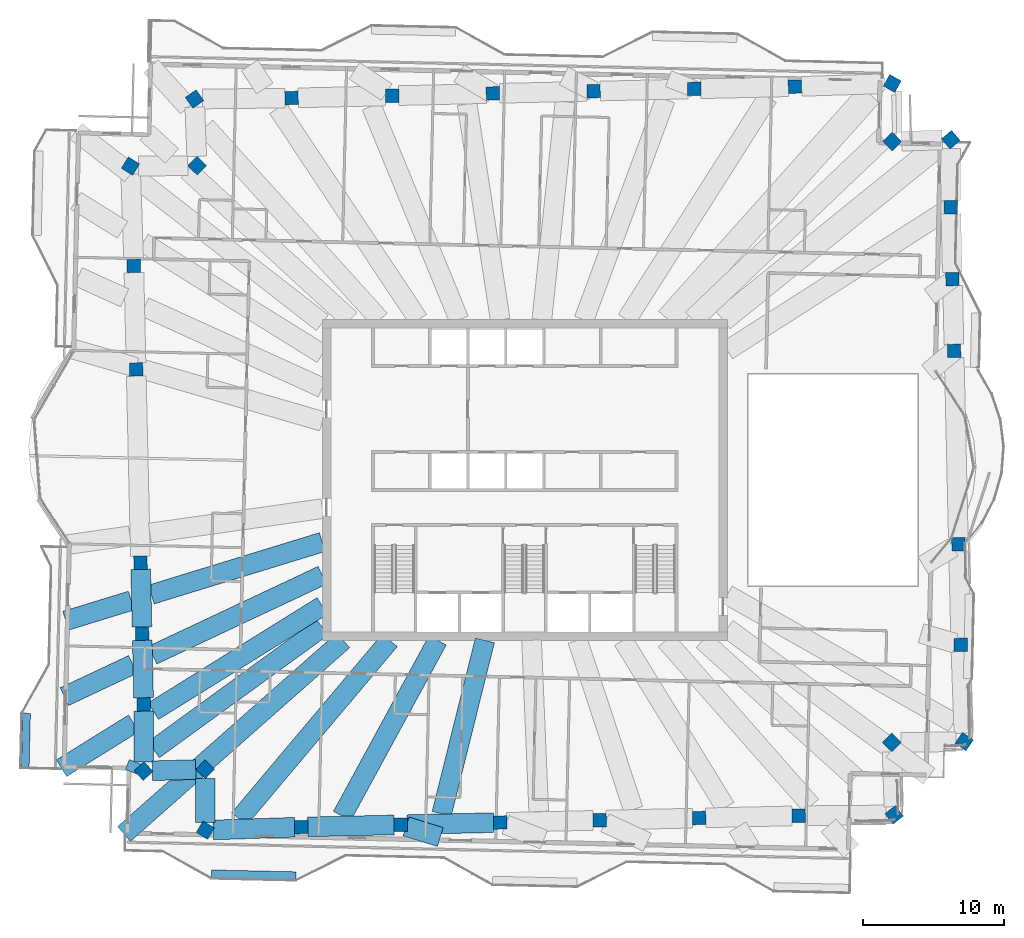
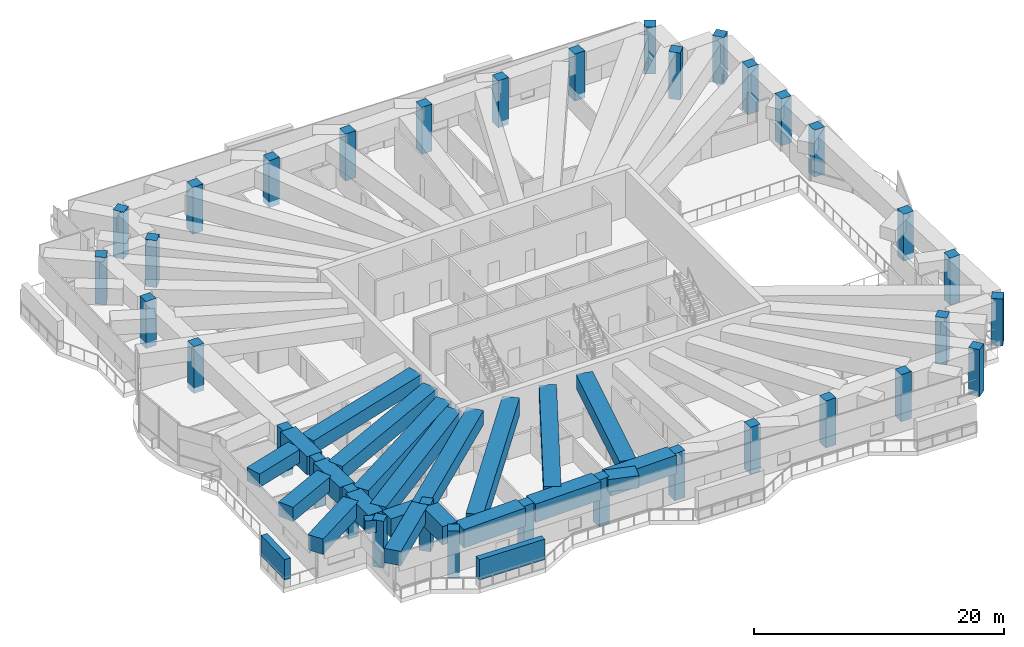
# One storey, part 1 of 20: 34 columns, 22 beams, 2 members.
"""IFC4 building model written with IfcOpenShell, lengths in metres."""

from ifc_helpers import new_model, si_unit, direction, frame, origin, origin_2d, place, context, subcontext, project, spatial, rectangle, extrude, material, material_profile, profile_set, type_object, element, save


model = new_model("IFC4")

# Units and contexts
model_context = context("Model", 3, precision=1e-05, world=origin(), true_north=direction((0.0, 1.0)))
body_context = subcontext(model_context, "Body", "Model", "MODEL_VIEW")
ifc_project = project(units=[si_unit("LENGTHUNIT", "METRE"), si_unit("AREAUNIT", "SQUARE_METRE"), si_unit("VOLUMEUNIT", "CUBIC_METRE"), si_unit("PLANEANGLEUNIT", "RADIAN"), si_unit("MASSUNIT", "GRAM", prefix="KILO")], contexts=[model_context])

# Site, building, storey
site_placement = place(None, origin())
site = spatial("IfcSite", under=ifc_project, at=site_placement, CompositionType="ELEMENT")
building_placement = place(site_placement, origin())
building = spatial("IfcBuilding", under=site, at=building_placement, Name="Mangrove Gate Tower", CompositionType="ELEMENT")
storey_placement = place(building_placement, frame((0.0, 0.0, 301.5)))
storey = spatial("IfcBuildingStorey", under=building, at=storey_placement, Name="L77", CompositionType="ELEMENT", Elevation=301.5)

# Columns
ifc_material_1 = material(Name="Concrete C50/60", Category="concrete")
ifc_material_profile_1 = material_profile(ifc_material_1, rectangle(XDim=0.949951171875, YDim=0.949951171875, at=origin_2d()))
ifc_profile_set_1 = profile_set([ifc_material_profile_1], Name="Concrete C50/60")
column_type = type_object("IfcColumnType", Name="Column RC 950x950 C50/60", PredefinedType="COLUMN", material=ifc_profile_set_1)
for number, where, z_axis, x_axis, name in (
    (1, (-27.3291015625, -5.88330078125, -0.550048828125), (0.0, 0.0, 1.0), (0.022668227132, -0.999743042726, 0.0), "Column L77 W05"),
    (2, (-27.215087890625, -10.92431640625, -0.550048828125), (0.0, 0.0, 1.0), (0.022611029903, -0.999744337982, 0.0), "Column L77 W06"),
    (3, (-27.10107421875, -15.964111328125, -0.550048828125), (0.0, 0.0, 1.0), (0.022712390043, -0.999742040398, 0.0), "Column L77 W07"),
    (4, (-27.1103515625, -20.694580078125, -0.550048828125), (0.0, 0.0, 1.0), (0.674559871236, -0.738220143398, 0.0), "Column L77 W08"),
    (5, (-22.73388671875, -20.571533203125, -0.550048828125), (0.0, 0.0, 1.0), (0.722917548782, -0.690934307777, 0.0), "Column L77 W09"),
    (6, (-22.721435546875, -24.905029296875, -0.550048828125), (0.0, 0.0, 1.0), (0.860936080736, -0.508713145974, 0.0), "Column L77 S01"),
    (7, (-15.898681640625, -24.67919921875, -0.550048828125), (0.0, 0.0, 1.0), (0.999742783124, 0.022679673549, 0.0), "Column L77 S02"),
    (8, (-8.82373046875, -24.51806640625, -0.550048828125), (0.0, 0.0, 1.0), (0.999742783124, 0.022679673549, 0.0), "Column L77 S03"),
    (9, (-1.748779296875, -24.358154296875, -0.550048828125), (0.0, 0.0, 1.0), (0.999742746705, 0.022681278839, 0.0), "Column L77 S04"),
    (10, (5.3251953125, -24.197021484375, -0.550048828125), (0.0, 0.0, 1.0), (0.999741142154, 0.022751894086, 0.0), "Column L77 S05"),
    (11, (12.400146484375, -24.0361328125, -0.550048828125), (0.0, 0.0, 1.0), (0.999742783124, 0.022679673549, 0.0), "Column L77 S06"),
    (12, (19.475341796875, -23.876220703125, -0.550048828125), (0.0, 0.0, 1.0), (0.999742783124, 0.022679673549, 0.0), "Column L77 S07"),
    (13, (26.271240234375, -23.813720703125, -0.550048828125), (0.0, 0.0, 1.0), (0.792213187663, 0.610244430775, 0.0), "Column L77 S08"),
    (14, (26.099609375, -18.663818359375, -0.550048828125), (0.0, 0.0, 1.0), (0.690876732885, 0.722972572065, 0.0), "Column L77 E01"),
    (15, (31.25048828125, -18.603759765625, -0.550048828125), (0.0, 0.0, 1.0), (0.568957327632, 0.8223670466, 0.0), "Column L77 E02"),
    (16, (31.004150390625, -11.723876953125, -0.550048828125), (0.0, 0.0, 1.0), (-0.02268810132, 0.9997425919, 0.0), "Column L77 E03"),
    (17, (30.841064453125, -4.563720703125, -0.550048828125), (0.0, 0.0, 1.0), (-0.022713803395, 0.999742008288, 0.0), "Column L77 E04"),
    (18, (30.529052734375, 9.183349609375, -0.550048828125), (0.0, 0.0, 1.0), (-0.022641914322, 0.999743638997, 0.0), "Column L77 E05"),
    (19, (30.4140625, 14.290283203125, -0.550048828125), (0.0, 0.0, 1.0), (-0.022610227257, 0.999744356135, 0.0), "Column L77 E06"),
    (20, (30.298095703125, 19.397216796875, -0.550048828125), (0.0, 0.0, 1.0), (-0.022708062743, 0.999742138697, 0.0), "Column L77 E07"),
    (21, (30.297119140625, 24.205078125, -0.550048828125), (0.0, 0.0, 1.0), (-0.652445951575, 0.757835259323, 0.0), "Column L77 E08"),
    (22, (26.1298828125, 24.07666015625, -0.550048828125), (0.0, 0.0, 1.0), (-0.722919671176, 0.69093208713, 0.0), "Column L77 E09"),
    (23, (26.132080078125, 28.203857421875, -0.550048828125), (0.0, 0.0, 1.0), (-0.873907193452, 0.486092807222, 0.0), "Column L77 N01"),
    (24, (19.212890625, 27.981201171875, -0.550048828125), (0.0, 0.0, 1.0), (-0.9997425919, -0.02268810132, 0.0), "Column L77 N02"),
    (25, (12.052734375, 27.819091796875, -0.550048828125), (0.0, 0.0, 1.0), (-0.9997425919, -0.02268810132, 0.0), "Column L77 N03"),
    (26, (4.891845703125, 27.656005859375, -0.550048828125), (0.0, 0.0, 1.0), (-0.9997425919, -0.02268810132, 0.0), "Column L77 N04"),
    (27, (-2.268310546875, 27.494140625, -0.550048828125), (0.0, 0.0, 1.0), (-0.9997425919, -0.02268810132, 0.0), "Column L77 N05"),
    (28, (-9.42919921875, 27.3310546875, -0.550048828125), (0.0, 0.0, 1.0), (-0.9997425919, -0.02268810132, 0.0), "Column L77 N06"),
    (29, (-16.589111328125, 27.169189453125, -0.550048828125), (0.0, 0.0, 1.0), (-0.9997425919, -0.02268810132, 0.0), "Column L77 N07"),
    (30, (-23.48779296875, 27.092529296875, -0.550048828125), (0.0, 0.0, 1.0), (-0.81788929658, -0.575375615176, 0.0), "Column L77 N08"),
    (31, (-23.30859375, 22.354736328125, -0.550048828125), (0.0, 0.0, 1.0), (-0.690864619266, -0.722984147714, 0.0), "Column L77 W01"),
    (32, (-28.04638671875, 22.32373046875, -0.550048828125), (0.0, 0.0, 1.0), (-0.526906799816, -0.849923069641, 0.0), "Column L77 W02"),
    (33, (-27.80810546875, 15.223876953125, -0.550048828125), (0.0, 0.0, 1.0), (0.022682831782, -0.999742711472, 0.0), "Column L77 W03"),
    (34, (-27.64111328125, 7.86376953125, -0.550048828125), (0.0, 0.0, 1.0), (0.022688048974, -0.999742593088, 0.0), "Column L77 W04"),
):
    element("IfcColumn", number, at=place(storey_placement, frame(where, z_axis=z_axis, x_axis=x_axis)), inside=storey, type_object=column_type, Name=name, PredefinedType="COLUMN", context=body_context, shape_type="SweptSolid", body=[
        extrude(rectangle(XDim=0.949951171875, YDim=0.949951171875, at=origin_2d()), origin(), (0.0, 0.0, 1.0), 4.60009765625),
    ])

# Members
ifc_material_2 = material(Name="Planting on aluminium trellis", Category="aluminium")
ifc_material_profile_2 = material_profile(ifc_material_2, rectangle(XDim=0.550048828125, YDim=2.0, at=origin_2d()))
ifc_profile_set_2 = profile_set([ifc_material_profile_2], Name="Planting on aluminium trellis")
member_type = type_object("IfcMemberType", Name="Balcony greenery screen 550x2000", PredefinedType="USERDEFINED", material=ifc_profile_set_2)
member_1_placement = place(storey_placement, frame((-35.52587890625, -20.486083984375, 1.800048828125), z_axis=(0.022785392151, 0.999740379251, 0.0), x_axis=(-0.999740379251, 0.022785392151, 0.0)))
element("IfcMember", 35, at=member_1_placement, inside=storey, type_object=member_type, Name="GREEN SCREEN L77 W1.1", ObjectType="PLANTING", PredefinedType="USERDEFINED", context=body_context, shape_type="SweptSolid", body=[
    extrude(rectangle(XDim=0.550048828125, YDim=2.0, at=origin_2d()), origin(), (0.0, 0.0, 1.0), 3.900146484375),
])
member_2_placement = place(storey_placement, frame((-22.278076171875, -28.0029296875, 1.800048828125), z_axis=(0.999739392852, -0.022828630714, 0.0), x_axis=(0.022828630714, 0.999739392852, 0.0)))
element("IfcMember", 36, at=member_2_placement, inside=storey, type_object=member_type, Name="GREEN SCREEN L77 S0.1", ObjectType="PLANTING", PredefinedType="USERDEFINED", context=body_context, shape_type="SweptSolid", body=[
    extrude(rectangle(XDim=0.550048828125, YDim=2.0, at=origin_2d()), origin(), (0.0, 0.0, 1.0), 5.99951171875),
])

# Beams
ifc_material_3 = material(Name="Concrete C50/60", Category="concrete")
ifc_material_profile_3 = material_profile(ifc_material_3, rectangle(XDim=1.39990234375, YDim=1.199951171875, at=origin_2d()))
ifc_profile_set_3 = profile_set([ifc_material_profile_3], Name="Concrete C50/60")
beam_type_1 = type_object("IfcBeamType", Name="Transfer girder RC 1400x1200 C50/60", PredefinedType="BEAM", material=ifc_profile_set_3)
beam_1_placement = place(storey_placement, frame((-8.44091796875, -24.63671875, 3.449951171875), z_axis=(0.955235505806, -0.295846460936, 0.0), x_axis=(0.295846460936, 0.955235505806, 0.0)))
element("IfcBeam", 37, at=beam_1_placement, inside=storey, type_object=beam_type_1, Name="Transfer edge girder L77 08", PredefinedType="BEAM", context=body_context, shape_type="SweptSolid", body=[
    extrude(rectangle(XDim=1.39990234375, YDim=1.199951171875, at=origin_2d()), origin(), (0.0, 0.0, 1.0), 2.54248046875),
])
ifc_material_4 = material(Name="Concrete C50/60", Category="concrete")
ifc_material_profile_4 = material_profile(ifc_material_4, rectangle(XDim=1.39990234375, YDim=1.300048828125, at=origin_2d()))
ifc_profile_set_4 = profile_set([ifc_material_profile_4], Name="Concrete C50/60")
beam_type_2 = type_object("IfcBeamType", Name="Transfer girder RC 1400x1300 C50/60", PredefinedType="BEAM", material=ifc_profile_set_4)
beam_2_placement = place(storey_placement, frame((-14.39990234375, -4.41357421875, 3.39990234375), z_axis=(-0.956099946937, -0.293040767586, 0.0), x_axis=(0.293040767586, -0.956099946937, 0.0)))
element("IfcBeam", 38, at=beam_2_placement, inside=storey, type_object=beam_type_2, Name="Transfer girder L77 01", PredefinedType="BEAM", context=body_context, shape_type="SweptSolid", body=[
    extrude(rectangle(XDim=1.39990234375, YDim=1.300048828125, at=origin_2d()), origin(), (0.0, 0.0, 1.0), 12.724365234375),
])
beam_3_placement = place(storey_placement, frame((-27.980712890625, -8.576171875, 3.39990234375), z_axis=(-0.956101658332, -0.293035183783, 0.0), x_axis=(0.293035183783, -0.956101658332, 0.0)))
element("IfcBeam", 39, at=beam_3_placement, inside=storey, type_object=beam_type_2, Name="Transfer cantilever girder L77 01", PredefinedType="BEAM", context=body_context, shape_type="SweptSolid", body=[
    extrude(rectangle(XDim=1.39990234375, YDim=1.300048828125, at=origin_2d()), origin(), (0.0, 0.0, 1.0), 4.883056640625),
])
beam_4_placement = place(storey_placement, frame((-2.838134765625, -11.39990234375, 3.39990234375), z_axis=(-0.241586754655, -0.970379224827, 0.0), x_axis=(0.970379224827, -0.241586754655, 0.0)))
element("IfcBeam", 40, at=beam_4_placement, inside=storey, type_object=beam_type_2, Name="Transfer girder L77 08", PredefinedType="BEAM", context=body_context, shape_type="SweptSolid", body=[
    extrude(rectangle(XDim=1.39990234375, YDim=1.300048828125, at=origin_2d()), origin(), (0.0, 0.0, 1.0), 12.715087890625),
])
ifc_material_5 = material(Name="Concrete C50/60", Category="concrete")
ifc_material_profile_5 = material_profile(ifc_material_5, rectangle(XDim=1.39990234375, YDim=1.39990234375, at=origin_2d()))
ifc_profile_set_5 = profile_set([ifc_material_profile_5], Name="Concrete C50/60")
beam_type_3 = type_object("IfcBeamType", Name="Transfer girder RC 1400x1400 C50/60", PredefinedType="BEAM", material=ifc_profile_set_5)
beam_5_placement = place(storey_placement, frame((-14.39990234375, -6.77490234375, 3.35009765625), z_axis=(-0.9048626749, -0.425703581818, 0.0), x_axis=(0.425703581818, -0.9048626749, 0.0)))
element("IfcBeam", 41, at=beam_5_placement, inside=storey, type_object=beam_type_3, Name="Transfer girder L77 02", PredefinedType="BEAM", context=body_context, shape_type="SweptSolid", body=[
    extrude(rectangle(XDim=1.39990234375, YDim=1.39990234375, at=origin_2d()), origin(), (0.0, 0.0, 1.0), 13.336181640625),
])
beam_6_placement = place(storey_placement, frame((-27.87890625, -13.1162109375, 3.35009765625), z_axis=(-0.904853663513, -0.425722735624, 0.0), x_axis=(0.425722735624, -0.904853663513, 0.0)))
element("IfcBeam", 42, at=beam_6_placement, inside=storey, type_object=beam_type_3, Name="Transfer cantilever girder L77 02", PredefinedType="BEAM", context=body_context, shape_type="SweptSolid", body=[
    extrude(rectangle(XDim=1.39990234375, YDim=1.39990234375, at=origin_2d()), origin(), (0.0, 0.0, 1.0), 5.38037109375),
])
beam_7_placement = place(storey_placement, frame((-12.911376953125, -11.39990234375, 3.35009765625), z_axis=(-0.749615579002, -0.661873465035, 0.0), x_axis=(0.661873465035, -0.749615579002, 0.0)))
element("IfcBeam", 43, at=beam_7_placement, inside=storey, type_object=beam_type_3, Name="Transfer girder L77 05", PredefinedType="BEAM", context=body_context, shape_type="SweptSolid", body=[
    extrude(rectangle(XDim=1.39990234375, YDim=1.39990234375, at=origin_2d()), origin(), (0.0, 0.0, 1.0), 13.8818359375),
])
beam_8_placement = place(storey_placement, frame((-23.3173828125, -20.587890625, 3.35009765625), z_axis=(-0.749609370071, -0.661880496994, 0.0), x_axis=(0.661880496994, -0.749609370071, 0.0)))
element("IfcBeam", 44, at=beam_8_placement, inside=storey, type_object=beam_type_3, Name="Transfer cantilever girder L77 05", PredefinedType="BEAM", context=body_context, shape_type="SweptSolid", body=[
    extrude(rectangle(XDim=1.39990234375, YDim=1.39990234375, at=origin_2d()), origin(), (0.0, 0.0, 1.0), 6.923828125),
])
ifc_material_6 = material(Name="Concrete C50/60", Category="concrete")
ifc_material_profile_6 = material_profile(ifc_material_6, rectangle(XDim=1.39990234375, YDim=1.5, at=origin_2d()))
ifc_profile_set_6 = profile_set([ifc_material_profile_6], Name="Concrete C50/60")
beam_type_4 = type_object("IfcBeamType", Name="Transfer girder RC 1400x1500 C50/60", PredefinedType="BEAM", material=ifc_profile_set_6)
beam_9_placement = place(storey_placement, frame((-14.39990234375, -8.958740234375, 3.300048828125), z_axis=(-0.849101627361, -0.528229520581, 0.0), x_axis=(0.528229520581, -0.849101627361, 0.0)))
element("IfcBeam", 45, at=beam_9_placement, inside=storey, type_object=beam_type_4, Name="Transfer girder L77 03", PredefinedType="BEAM", context=body_context, shape_type="SweptSolid", body=[
    extrude(rectangle(XDim=1.39990234375, YDim=1.5, at=origin_2d()), origin(), (0.0, 0.0, 1.0), 14.160400390625),
])
beam_10_placement = place(storey_placement, frame((-27.816162109375, -17.30517578125, 3.300048828125), z_axis=(-0.849099697253, -0.528232623117, 0.0), x_axis=(0.528232623117, -0.849099697253, 0.0)))
element("IfcBeam", 46, at=beam_10_placement, inside=storey, type_object=beam_type_4, Name="Transfer cantilever girder L77 03", PredefinedType="BEAM", context=body_context, shape_type="SweptSolid", body=[
    extrude(rectangle(XDim=1.39990234375, YDim=1.5, at=origin_2d()), origin(), (0.0, 0.0, 1.0), 6.042236328125),
])
beam_11_placement = place(storey_placement, frame((-14.39990234375, -10.46484375, 3.300048828125), z_axis=(-0.808953161278, -0.587873100982, 0.0), x_axis=(0.587873100982, -0.808953161278, 0.0)))
element("IfcBeam", 47, at=beam_11_placement, inside=storey, type_object=beam_type_4, Name="Transfer girder L77 04", PredefinedType="BEAM", context=body_context, shape_type="SweptSolid", body=[
    extrude(rectangle(XDim=1.39990234375, YDim=1.5, at=origin_2d()), origin(), (0.0, 0.0, 1.0), 14.829833984375),
])
beam_12_placement = place(storey_placement, frame((-6.199462890625, -11.39990234375, 3.300048828125), z_axis=(-0.477739892392, -0.878501334784, 0.0), x_axis=(0.878501334784, -0.477739892392, 0.0)))
element("IfcBeam", 48, at=beam_12_placement, inside=storey, type_object=beam_type_4, Name="Transfer girder L77 07", PredefinedType="BEAM", context=body_context, shape_type="SweptSolid", body=[
    extrude(rectangle(XDim=1.39990234375, YDim=1.5, at=origin_2d()), origin(), (0.0, 0.0, 1.0), 14.230712890625),
])
ifc_material_7 = material(Name="Concrete C50/60", Category="concrete")
ifc_material_profile_7 = material_profile(ifc_material_7, rectangle(XDim=1.39990234375, YDim=1.699951171875, at=origin_2d()))
ifc_profile_set_7 = profile_set([ifc_material_profile_7], Name="Concrete C50/60")
beam_type_5 = type_object("IfcBeamType", Name="Transfer girder RC 1400x1700 C50/60", PredefinedType="BEAM", material=ifc_profile_set_7)
beam_13_placement = place(storey_placement, frame((-9.606201171875, -11.39990234375, 3.199951171875), z_axis=(-0.644378579297, -0.764706640839, 0.0), x_axis=(0.764706640839, -0.644378579297, 0.0)))
element("IfcBeam", 49, at=beam_13_placement, inside=storey, type_object=beam_type_5, Name="Transfer girder L77 06", PredefinedType="BEAM", context=body_context, shape_type="SweptSolid", body=[
    extrude(rectangle(XDim=1.39990234375, YDim=1.699951171875, at=origin_2d()), origin(), (0.0, 0.0, 1.0), 16.623291015625),
])
ifc_material_8 = material(Name="Concrete C50/60", Category="concrete")
ifc_material_profile_8 = material_profile(ifc_material_8, rectangle(XDim=1.39990234375, YDim=1.800048828125, at=origin_2d()))
ifc_profile_set_8 = profile_set([ifc_material_profile_8], Name="Concrete C50/60")
beam_type_6 = type_object("IfcBeamType", Name="Transfer girder RC 1400x1800 C50/60", PredefinedType="BEAM", material=ifc_profile_set_8)
beam_14_placement = place(storey_placement, frame((-27.318359375, -6.358154296875, 3.14990234375), z_axis=(0.022610282283, -0.99974435489, 0.0), x_axis=(0.99974435489, 0.022610282283, 0.0)))
element("IfcBeam", 50, at=beam_14_placement, inside=storey, type_object=beam_type_6, Name="Transfer ring girder L77 00", PredefinedType="BEAM", context=body_context, shape_type="SweptSolid", body=[
    extrude(rectangle(XDim=1.39990234375, YDim=1.800048828125, at=origin_2d()), origin(), (0.0, 0.0, 1.0), 4.09228515625),
])
beam_15_placement = place(storey_placement, frame((-27.204345703125, -11.399169921875, 3.14990234375), z_axis=(0.022617026961, -0.999744202329, 0.0), x_axis=(0.999744202329, 0.022617026961, 0.0)))
element("IfcBeam", 51, at=beam_15_placement, inside=storey, type_object=beam_type_6, Name="Transfer ring girder L77 01", PredefinedType="BEAM", context=body_context, shape_type="SweptSolid", body=[
    extrude(rectangle(XDim=1.39990234375, YDim=1.800048828125, at=origin_2d()), origin(), (0.0, 0.0, 1.0), 4.091064453125),
])
beam_16_placement = place(storey_placement, frame((-27.10205078125, -16.439453125, 3.14990234375), z_axis=(-0.001960913128, -0.999998077408, 0.0), x_axis=(0.999998077408, -0.001960913128, 0.0)))
element("IfcBeam", 52, at=beam_16_placement, inside=storey, type_object=beam_type_6, Name="Transfer ring girder L77 02", PredefinedType="BEAM", context=body_context, shape_type="SweptSolid", body=[
    extrude(rectangle(XDim=1.39990234375, YDim=1.800048828125, at=origin_2d()), origin(), (0.0, 0.0, 1.0), 3.610595703125),
])
beam_17_placement = place(storey_placement, frame((-26.48291015625, -20.677001953125, 3.14990234375), z_axis=(0.999604650157, 0.028116603344, 0.0), x_axis=(-0.028116603344, 0.999604650157, 0.0)))
element("IfcBeam", 53, at=beam_17_placement, inside=storey, type_object=beam_type_6, Name="Transfer ring girder L77 03", PredefinedType="BEAM", context=body_context, shape_type="SweptSolid", body=[
    extrude(rectangle(XDim=1.39990234375, YDim=1.800048828125, at=origin_2d()), origin(), (0.0, 0.0, 1.0), 3.08251953125),
])
beam_18_placement = place(storey_placement, frame((-22.73193359375, -21.23046875, 3.14990234375), z_axis=(0.002893551662, -0.999995813671, 0.0), x_axis=(0.999995813671, 0.002893551662, 0.0)))
element("IfcBeam", 54, at=beam_18_placement, inside=storey, type_object=beam_type_6, Name="Transfer ring girder L77 04", PredefinedType="BEAM", context=body_context, shape_type="SweptSolid", body=[
    extrude(rectangle(XDim=1.39990234375, YDim=1.800048828125, at=origin_2d()), origin(), (0.0, 0.0, 1.0), 3.121826171875),
])
beam_19_placement = place(storey_placement, frame((-22.15869140625, -24.886474609375, 3.14990234375), z_axis=(0.999451720574, 0.033109790709, 0.0), x_axis=(-0.033109790709, 0.999451720574, 0.0)))
element("IfcBeam", 55, at=beam_19_placement, inside=storey, type_object=beam_type_6, Name="Transfer ring girder L77 05", PredefinedType="BEAM", context=body_context, shape_type="SweptSolid", body=[
    extrude(rectangle(XDim=1.39990234375, YDim=1.800048828125, at=origin_2d()), origin(), (0.0, 0.0, 1.0), 5.788330078125),
])
for number, where, z_axis, x_axis, name in (
    (56, (-15.423828125, -24.668212890625, 3.14990234375), (0.999741115026, 0.022753086081, 0.0), (-0.022753086081, 0.999741115026, 0.0), "Transfer ring girder L77 06"),
    (57, (-8.348876953125, -24.50732421875, 3.14990234375), (0.999744728048, 0.022593776587, 0.0), (-0.022593776587, 0.999744728048, 0.0), "Transfer ring girder L77 07"),
):
    element("IfcBeam", number, at=place(storey_placement, frame(where, z_axis=z_axis, x_axis=x_axis)), inside=storey, type_object=beam_type_6, Name=name, PredefinedType="BEAM", context=body_context, shape_type="SweptSolid", body=[
        extrude(rectangle(XDim=1.39990234375, YDim=1.800048828125, at=origin_2d()), origin(), (0.0, 0.0, 1.0), 6.126708984375),
    ])
ifc_material_9 = material(Name="Concrete C50/60", Category="concrete")
ifc_material_profile_9 = material_profile(ifc_material_9, rectangle(XDim=0.75, YDim=1.199951171875, at=origin_2d()))
ifc_profile_set_9 = profile_set([ifc_material_profile_9], Name="Concrete C50/60")
beam_type_7 = type_object("IfcBeamType", Name="Transfer girder RC 750x1200 C50/60", PredefinedType="BEAM", material=ifc_profile_set_9)
beam_20_placement = place(storey_placement, frame((-27.1103515625, -20.694580078125, 3.449951171875), z_axis=(-0.926833239678, 0.375473229176, 0.0), x_axis=(-0.375473229176, -0.926833239678, 0.0)))
element("IfcBeam", 58, at=beam_20_placement, inside=storey, type_object=beam_type_7, Name="Transfer edge girder L77 04", PredefinedType="BEAM", context=body_context, shape_type="SweptSolid", body=[
    extrude(rectangle(XDim=0.75, YDim=1.199951171875, at=origin_2d()), origin(), (0.0, 0.0, 1.0), 1.24658203125),
])

save(model, "model.ifc")
